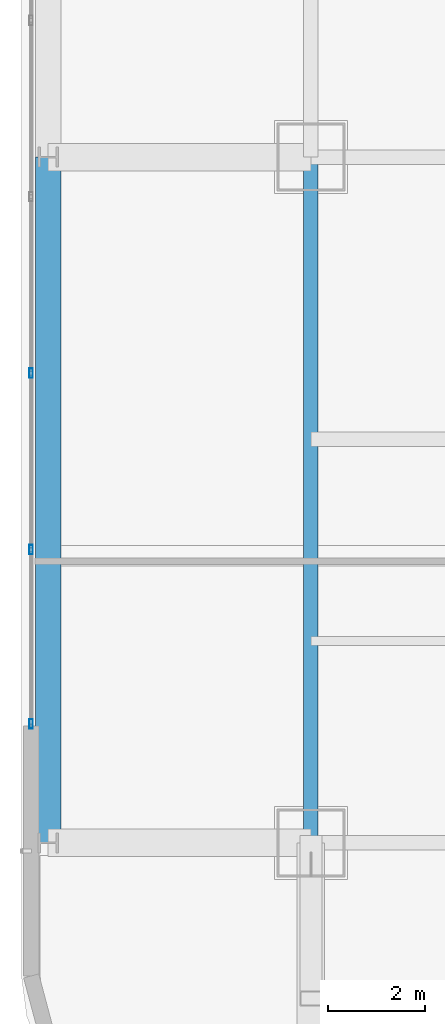
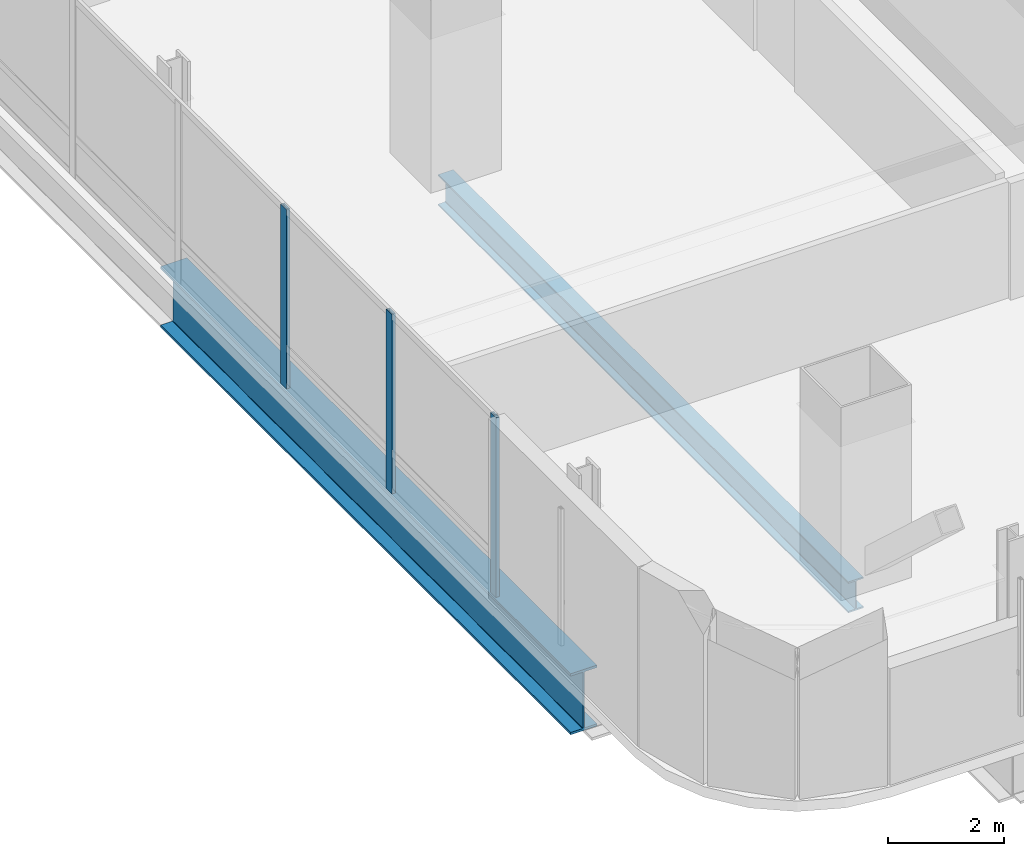
# One storey, part 3 of 46: 3 members, 2 beams, 1 element without a shape of its own.
"""IFC4 building model written with IfcOpenShell, lengths in metres."""

from ifc_helpers import new_model, si_unit, direction, frame, origin, origin_2d, place, context, subcontext, project, spatial, hollow_rectangle, i_section, extrude, material, material_profile, profile_set, type_object, element, aggregate, save


model = new_model("IFC4")

# Units and contexts
model_context = context("Model", 3, precision=1e-05, world=origin(), true_north=direction((0.0, 1.0)))
body_context = subcontext(model_context, "Body", "Model", "MODEL_VIEW")
ifc_project = project(units=[si_unit("LENGTHUNIT", "METRE"), si_unit("AREAUNIT", "SQUARE_METRE"), si_unit("VOLUMEUNIT", "CUBIC_METRE"), si_unit("PLANEANGLEUNIT", "RADIAN"), si_unit("MASSUNIT", "GRAM", prefix="KILO")], contexts=[model_context])

# Site, building, storey
site_placement = place(None, origin())
site = spatial("IfcSite", under=ifc_project, at=site_placement, CompositionType="ELEMENT")
building_placement = place(site_placement, origin())
building = spatial("IfcBuilding", under=site, at=building_placement, Name="Punatoya Terracotta Tower", CompositionType="ELEMENT")
storey_placement = place(building_placement, frame((0.0, 0.0, 200.550048828125)))
storey = spatial("IfcBuildingStorey", under=building, at=storey_placement, Name="L47", CompositionType="ELEMENT", Elevation=200.550048828125)

# Beams
ifc_material_1 = material(Name="Steel S355", Category="steel")
ifc_material_profile_1 = material_profile(ifc_material_1, i_section(OverallWidth=0.300048828125, OverallDepth=0.64990234375, WebThickness=0.01611328125, FlangeThickness=0.031005859375, FilletRadius=0.01806640625, at=origin_2d()))
ifc_profile_set_1 = profile_set([ifc_material_profile_1], Name="Steel S355")
beam_type_1 = type_object("IfcBeamType", Name="BM-PRI-650", PredefinedType="BEAM", material=ifc_profile_set_1)
beam_1_placement = place(storey_placement, frame((-19.10009765625, -17.5, -0.545166015625), z_axis=(0.0, 1.0, 0.0), x_axis=(-1.0, 0.0, 0.0)))
element("IfcBeam", 1, at=beam_1_placement, inside=storey, type_object=beam_type_1, Name="BM-L47-RG-W1", PredefinedType="BEAM", context=body_context, shape_type="SweptSolid", body=[
    extrude(i_section(OverallWidth=0.300048828125, OverallDepth=0.64990234375, WebThickness=0.01611328125, FlangeThickness=0.031005859375, FilletRadius=0.01806640625, at=origin_2d()), origin(), (0.0, 0.0, 1.0), 14.10009765625),
])
ifc_material_2 = material(Name="Steel S460", Category="steel")
ifc_material_profile_2 = material_profile(ifc_material_2, i_section(OverallWidth=0.52001953125, OverallDepth=1.280029296875, WebThickness=0.031982421875, FlangeThickness=0.050048828125, FilletRadius=0.01806640625, at=origin_2d()))
ifc_profile_set_2 = profile_set([ifc_material_profile_2], Name="Steel S460")
beam_type_2 = type_object("IfcBeamType", Name="BM-TG-NCK", PredefinedType="BEAM", material=ifc_profile_set_2)
beam_2_placement = place(storey_placement, frame((-24.5, -17.5, -0.860107421875), z_axis=(0.0, 1.0, 0.0), x_axis=(-1.0, 0.0, 0.0)))
element("IfcBeam", 2, at=beam_2_placement, inside=storey, type_object=beam_type_2, Name="BM-L47-PER-W1", PredefinedType="BEAM", context=body_context, shape_type="SweptSolid", body=[
    extrude(i_section(OverallWidth=0.52001953125, OverallDepth=1.280029296875, WebThickness=0.031982421875, FlangeThickness=0.050048828125, FilletRadius=0.01806640625, at=origin_2d()), origin(), (0.0, 0.0, 1.0), 14.10009765625),
])

# Curtain wall, members
ifc_material_3 = material(Name="Aluminium 6063-T6 + Double Low-E Glass", Category="aluminium")
curtain_wall_type = type_object("IfcCurtainWallType", Name="CW-M2", PredefinedType="NOTDEFINED", material=ifc_material_3)
curtain_wall_placement = place(storey_placement, origin())
curtain_wall = element("IfcCurtainWall", 3, at=curtain_wall_placement, inside=storey, type_object=curtain_wall_type, Name="L47 Curtain Wall CW-L47-W13-1", PredefinedType="NOTDEFINED")
ifc_material_4 = material(Name="Aluminium 6063-T6", Category="aluminium")
ifc_material_profile_3 = material_profile(ifc_material_4, hollow_rectangle(XDim=0.072021484375, YDim=0.195068359375, WallThickness=0.00439453125, at=origin_2d()))
ifc_profile_set_3 = profile_set([ifc_material_profile_3], Name="Aluminium 6063-T6")
member_type = type_object("IfcMemberType", Name="CW-MUL-M2", PredefinedType="MULLION", material=ifc_profile_set_3)
member_1_placement = place(storey_placement, frame((-24.85009765625, -7.843017578125, 0.0), z_axis=(0.0, 0.0, 1.0), x_axis=(1.0, 0.0, 0.0)))
member_1 = element("IfcMember", 4, at=member_1_placement, type_object=member_type, Name="CW-L47-W13-1 Mullion 05", PredefinedType="MULLION", context=body_context, shape_type="SweptSolid", body=[
    extrude(hollow_rectangle(XDim=0.072021484375, YDim=0.195068359375, WallThickness=0.00439453125, at=origin_2d()), origin(), (0.0, 0.0, 1.0), 3.77001953125),
])
member_2_placement = place(storey_placement, frame((-24.85009765625, -11.471435546875, 0.0), z_axis=(0.0, 0.0, 1.0), x_axis=(1.0, 0.0, 0.0)))
member_2 = element("IfcMember", 5, at=member_2_placement, type_object=member_type, Name="CW-L47-W13-1 Mullion 06", PredefinedType="MULLION", context=body_context, shape_type="SweptSolid", body=[
    extrude(hollow_rectangle(XDim=0.072021484375, YDim=0.195068359375, WallThickness=0.00439453125, at=origin_2d()), origin(), (0.0, 0.0, 1.0), 3.77001953125),
])
member_3_placement = place(storey_placement, frame((-24.85009765625, -15.054931640625, 0.0), z_axis=(0.0, 0.0, 1.0), x_axis=(1.0, 0.0, 0.0)))
member_3 = element("IfcMember", 6, at=member_3_placement, type_object=member_type, Name="CW-L47-W13-1 Mullion 07", PredefinedType="MULLION", context=body_context, shape_type="SweptSolid", body=[
    extrude(hollow_rectangle(XDim=0.072021484375, YDim=0.195068359375, WallThickness=0.00439453125, at=origin_2d()), origin(), (0.0, 0.0, 1.0), 3.77001953125),
])
aggregate(curtain_wall, [member_1, member_2, member_3])

save(model, "model.ifc")
